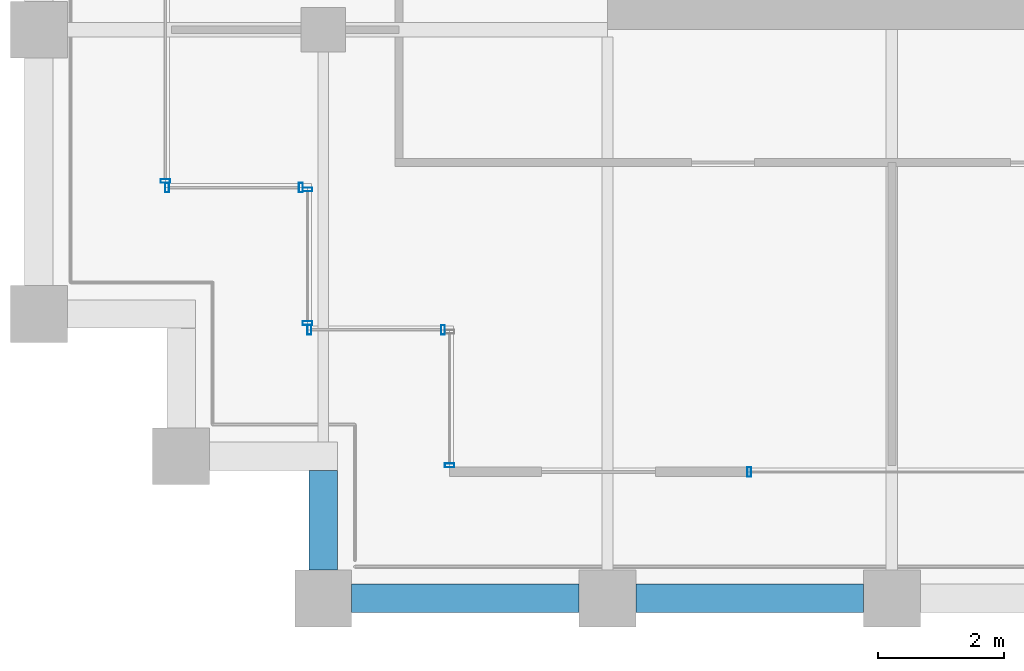
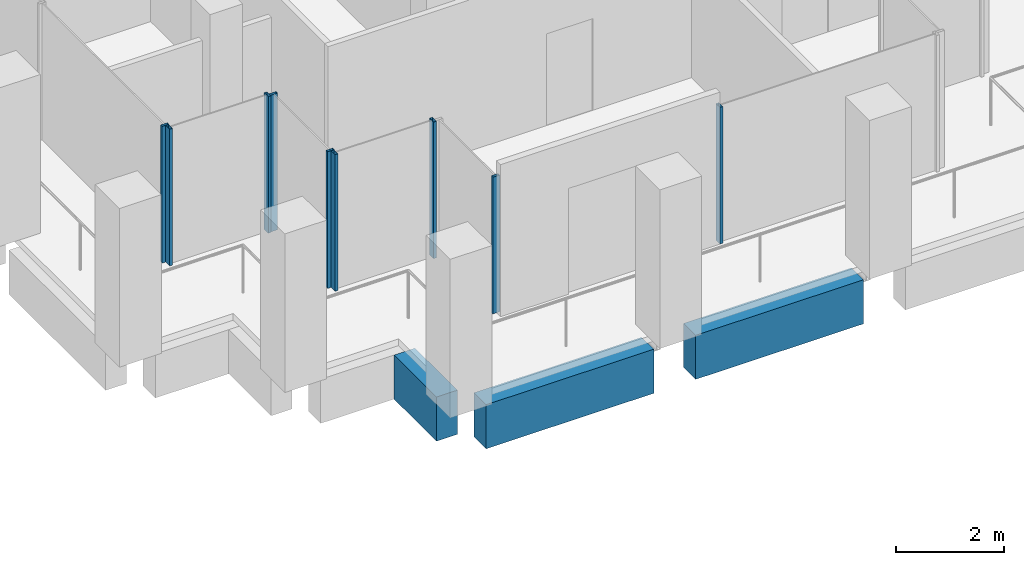
# One storey, part 28 of 40: 9 members, 3 beams, 6 elements without a shape of their own.
"""IFC4 building model written with IfcOpenShell, lengths in metres."""

from ifc_helpers import new_model, si_unit, direction, frame, origin, origin_2d, place, context, subcontext, project, spatial, rectangle, hollow_rectangle, extrude, material, material_profile, profile_set, type_object, element, aggregate, save


model = new_model("IFC4")

# Units and contexts
model_context = context("Model", 3, precision=1e-05, world=origin(), true_north=direction((0.0, 1.0)))
body_context = subcontext(model_context, "Body", "Model", "MODEL_VIEW")
ifc_project = project(units=[si_unit("LENGTHUNIT", "METRE"), si_unit("AREAUNIT", "SQUARE_METRE"), si_unit("VOLUMEUNIT", "CUBIC_METRE"), si_unit("PLANEANGLEUNIT", "RADIAN"), si_unit("MASSUNIT", "GRAM", prefix="KILO")], contexts=[model_context])

# Site, building, storey
site_placement = place(None, origin())
site = spatial("IfcSite", under=ifc_project, at=site_placement, CompositionType="ELEMENT")
building_placement = place(site_placement, origin())
building = spatial("IfcBuilding", under=site, at=building_placement, Name="Altepetl Exchange Towers", CompositionType="ELEMENT")
storey_placement = place(building_placement, frame((0.0, 0.0, 183.39990234375)))
storey = spatial("IfcBuildingStorey", under=building, at=storey_placement, Name="L46", CompositionType="ELEMENT", Elevation=183.39990234375)

# Curtain wall, member
ifc_material_1 = material(Name="Aluminium 6063-T6 glazing", Category="aluminium")
curtain_wall_type = type_object("IfcCurtainWallType", Name="Loggia glazing system", PredefinedType="NOTDEFINED", material=ifc_material_1)
curtain_wall_1_placement = place(storey_placement, origin())
curtain_wall_1 = element("IfcCurtainWall", 1, at=curtain_wall_1_placement, inside=storey, type_object=curtain_wall_type, Name="CW1 run", PredefinedType="NOTDEFINED")
ifc_material_2 = material(Name="Aluminium 6063-T6", Category="aluminium")
ifc_material_profile_1 = material_profile(ifc_material_2, hollow_rectangle(XDim=0.06005859375, YDim=0.14990234375, WallThickness=0.0029296875, at=origin_2d()), Name="Mullion 60x150 aluminium")
ifc_profile_set_1 = profile_set([ifc_material_profile_1], Name="Aluminium 6063-T6")
member_type = type_object("IfcMemberType", Name="Mullion 60x150 aluminium", PredefinedType="MULLION", material=ifc_profile_set_1)
member_1_placement = place(storey_placement, frame((101.0, 29.10498046875, 0.0), z_axis=(0.0, 0.0, 1.0), x_axis=(0.0, -1.0, 0.0)))
member_1 = element("IfcMember", 2, at=member_1_placement, type_object=member_type, Name="MU1 mullion", PredefinedType="MULLION", context=body_context, shape_type="SweptSolid", body=[
    extrude(hollow_rectangle(XDim=0.06005859375, YDim=0.14990234375, WallThickness=0.0029296875, at=origin_2d()), origin(), (0.0, 0.0, 1.0), 3.10009765625),
])
aggregate(curtain_wall_1, [member_1])

curtain_wall_2_placement = place(storey_placement, origin())
curtain_wall_2 = element("IfcCurtainWall", 3, at=curtain_wall_2_placement, inside=storey, type_object=curtain_wall_type, Name="CW1 run", PredefinedType="NOTDEFINED")
member_2_placement = place(storey_placement, frame((105.742431640625, 29.0, 0.0)))
member_2 = element("IfcMember", 4, at=member_2_placement, type_object=member_type, Name="MU1 mullion", PredefinedType="MULLION", context=body_context, shape_type="SweptSolid", body=[
    extrude(hollow_rectangle(XDim=0.06005859375, YDim=0.14990234375, WallThickness=0.0029296875, at=origin_2d()), origin(), (0.0, 0.0, 1.0), 3.10009765625),
])
aggregate(curtain_wall_2, [member_2])

curtain_wall_3_placement = place(storey_placement, origin())
curtain_wall_3 = element("IfcCurtainWall", 5, at=curtain_wall_3_placement, inside=storey, type_object=curtain_wall_type, Name="CW1 run", PredefinedType="NOTDEFINED")
member_3_placement = place(storey_placement, frame((96.5, 33.60498046875, 0.0), z_axis=(0.0, 0.0, 1.0), x_axis=(0.0, -1.0, 0.0)))
member_3 = element("IfcMember", 6, at=member_3_placement, type_object=member_type, Name="MU1 mullion", PredefinedType="MULLION", context=body_context, shape_type="SweptSolid", body=[
    extrude(hollow_rectangle(XDim=0.06005859375, YDim=0.14990234375, WallThickness=0.0029296875, at=origin_2d()), origin(), (0.0, 0.0, 1.0), 3.10009765625),
])
aggregate(curtain_wall_3, [member_3])

# Curtain wall, members
curtain_wall_4_placement = place(storey_placement, origin())
curtain_wall_4 = element("IfcCurtainWall", 7, at=curtain_wall_4_placement, inside=storey, type_object=curtain_wall_type, Name="CW1 run", PredefinedType="NOTDEFINED")
member_4_placement = place(storey_placement, frame((96.530029296875, 33.5, 0.0)))
member_4 = element("IfcMember", 8, at=member_4_placement, type_object=member_type, Name="MU1 mullion", PredefinedType="MULLION", context=body_context, shape_type="SweptSolid", body=[
    extrude(hollow_rectangle(XDim=0.06005859375, YDim=0.14990234375, WallThickness=0.0029296875, at=origin_2d()), origin(), (0.0, 0.0, 1.0), 3.10009765625),
])
member_5_placement = place(storey_placement, frame((98.64501953125, 33.5, 0.0)))
member_5 = element("IfcMember", 9, at=member_5_placement, type_object=member_type, Name="MU1 mullion", PredefinedType="MULLION", context=body_context, shape_type="SweptSolid", body=[
    extrude(hollow_rectangle(XDim=0.06005859375, YDim=0.14990234375, WallThickness=0.0029296875, at=origin_2d()), origin(), (0.0, 0.0, 1.0), 3.10009765625),
])
aggregate(curtain_wall_4, [member_4, member_5])

curtain_wall_5_placement = place(storey_placement, origin())
curtain_wall_5 = element("IfcCurtainWall", 10, at=curtain_wall_5_placement, inside=storey, type_object=curtain_wall_type, Name="CW1 run", PredefinedType="NOTDEFINED")
member_6_placement = place(storey_placement, frame((98.75, 33.469970703125, 0.0), z_axis=(0.0, 0.0, 1.0), x_axis=(0.0, -1.0, 0.0)))
member_6 = element("IfcMember", 11, at=member_6_placement, type_object=member_type, Name="MU1 mullion", PredefinedType="MULLION", context=body_context, shape_type="SweptSolid", body=[
    extrude(hollow_rectangle(XDim=0.06005859375, YDim=0.14990234375, WallThickness=0.0029296875, at=origin_2d()), origin(), (0.0, 0.0, 1.0), 3.10009765625),
])
member_7_placement = place(storey_placement, frame((98.75, 31.35498046875, 0.0), z_axis=(0.0, 0.0, 1.0), x_axis=(0.0, -1.0, 0.0)))
member_7 = element("IfcMember", 12, at=member_7_placement, type_object=member_type, Name="MU1 mullion", PredefinedType="MULLION", context=body_context, shape_type="SweptSolid", body=[
    extrude(hollow_rectangle(XDim=0.06005859375, YDim=0.14990234375, WallThickness=0.0029296875, at=origin_2d()), origin(), (0.0, 0.0, 1.0), 3.10009765625),
])
aggregate(curtain_wall_5, [member_6, member_7])

curtain_wall_6_placement = place(storey_placement, origin())
curtain_wall_6 = element("IfcCurtainWall", 13, at=curtain_wall_6_placement, inside=storey, type_object=curtain_wall_type, Name="CW1 run", PredefinedType="NOTDEFINED")
member_8_placement = place(storey_placement, frame((98.780029296875, 31.25, 0.0)))
member_8 = element("IfcMember", 14, at=member_8_placement, type_object=member_type, Name="MU1 mullion", PredefinedType="MULLION", context=body_context, shape_type="SweptSolid", body=[
    extrude(hollow_rectangle(XDim=0.06005859375, YDim=0.14990234375, WallThickness=0.0029296875, at=origin_2d()), origin(), (0.0, 0.0, 1.0), 3.10009765625),
])
member_9_placement = place(storey_placement, frame((100.89501953125, 31.25, 0.0)))
member_9 = element("IfcMember", 15, at=member_9_placement, type_object=member_type, Name="MU1 mullion", PredefinedType="MULLION", context=body_context, shape_type="SweptSolid", body=[
    extrude(hollow_rectangle(XDim=0.06005859375, YDim=0.14990234375, WallThickness=0.0029296875, at=origin_2d()), origin(), (0.0, 0.0, 1.0), 3.10009765625),
])
aggregate(curtain_wall_6, [member_8, member_9])

# Beams
ifc_material_3 = material(Name="Concrete C50/60 precast with tezontle facing", Category="concrete")
ifc_material_profile_2 = material_profile(ifc_material_3, rectangle(XDim=0.449951171875, YDim=1.0, at=origin_2d()), Name="450 x 1000")
ifc_profile_set_2 = profile_set([ifc_material_profile_2], Name="Concrete C50/60 precast with tezontle facing")
beam_type = type_object("IfcBeamType", Name="Spandrel beam 450x1000 tezontle", PredefinedType="SPANDREL", material=ifc_profile_set_2)
for number, where, z_axis, x_axis, name in (
    (16, (99.449951171875, 27.0, -0.64990234375), (1.0, 0.0, 0.0), (0.0, 1.0, 0.0), "sp:B:L46:000"),
    (17, (103.949951171875, 27.0, -0.64990234375), (1.0, 0.0, 0.0), (0.0, 1.0, 0.0), "sp:B:L46:001"),
):
    element("IfcBeam", number, at=place(storey_placement, frame(where, z_axis=z_axis, x_axis=x_axis)), inside=storey, type_object=beam_type, Name=name, PredefinedType="SPANDREL", context=body_context, shape_type="SweptSolid", body=[
        extrude(rectangle(XDim=0.449951171875, YDim=1.0, at=origin_2d()), origin(), (0.0, 0.0, 1.0), 3.60009765625),
    ])
beam_placement = place(storey_placement, frame((99.0, 29.02490234375, -0.64990234375), z_axis=(0.0, -1.0, 0.0), x_axis=(1.0, 0.0, 0.0)))
element("IfcBeam", 18, at=beam_placement, inside=storey, type_object=beam_type, Name="sp:B:L46:023", PredefinedType="SPANDREL", context=body_context, shape_type="SweptSolid", body=[
    extrude(rectangle(XDim=0.449951171875, YDim=1.0, at=origin_2d()), origin(), (0.0, 0.0, 1.0), 1.574951171875),
])

save(model, "model.ifc")
